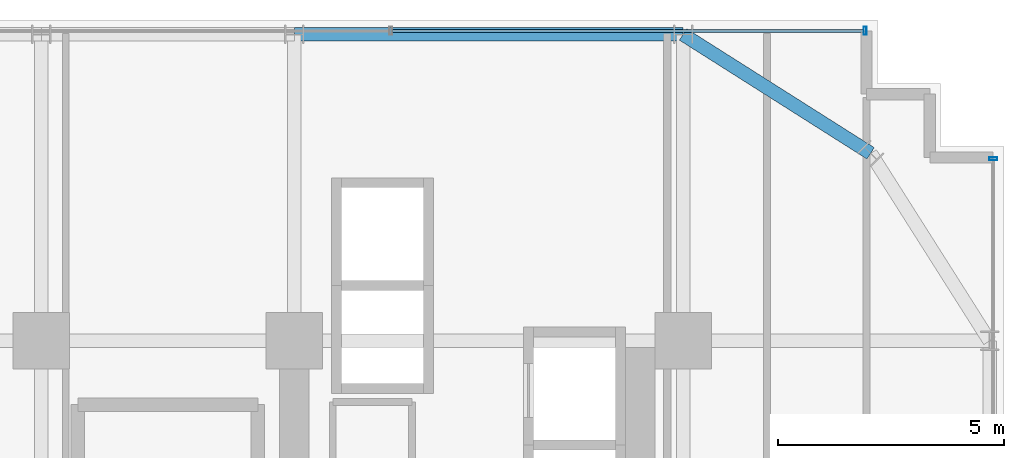
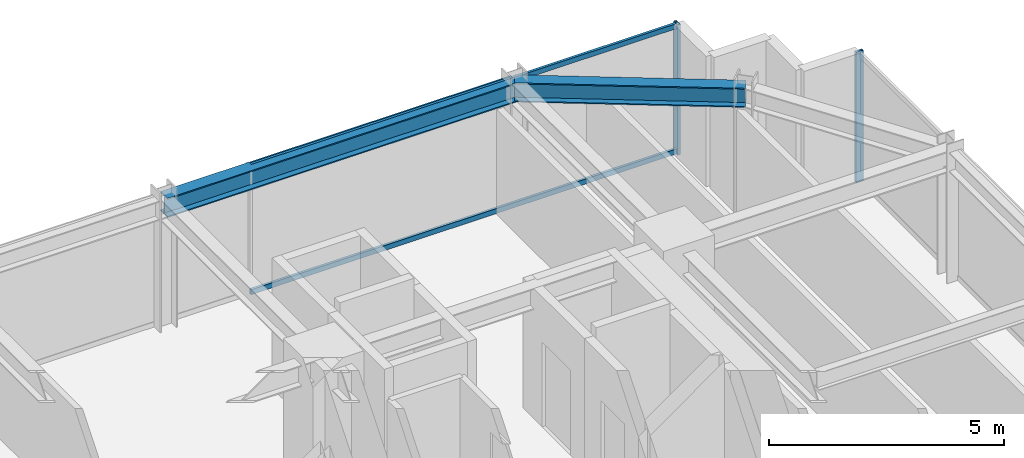
# One storey, part 24 of 32: 4 members, 2 beams, 2 elements without a shape of their own.
"""IFC4 building model written with IfcOpenShell, lengths in metres."""

from ifc_helpers import new_model, si_unit, direction, frame, origin, origin_2d, place, context, subcontext, project, spatial, hollow_rectangle, i_section, extrude, source, transform, mapped, material, material_profile, profile_set, type_object, element, aggregate, save


model = new_model("IFC4")

# Units and contexts
model_context = context("Model", 3, precision=1e-05, world=origin(), true_north=direction((0.0, 1.0)))
body_context = subcontext(model_context, "Body", "Model", "MODEL_VIEW")
ifc_project = project(units=[si_unit("LENGTHUNIT", "METRE"), si_unit("AREAUNIT", "SQUARE_METRE"), si_unit("VOLUMEUNIT", "CUBIC_METRE"), si_unit("PLANEANGLEUNIT", "RADIAN"), si_unit("MASSUNIT", "GRAM", prefix="KILO")], contexts=[model_context])

# Site, building, storey
site_placement = place(None, origin())
site = spatial("IfcSite", under=ifc_project, at=site_placement, CompositionType="ELEMENT")
building_placement = place(site_placement, origin())
building = spatial("IfcBuilding", under=site, at=building_placement, Name="Nahalor Promenade Grand Hotel", CompositionType="ELEMENT")
storey_placement = place(building_placement, frame((0.0, 0.0, 124.800048828125)))
storey = spatial("IfcBuildingStorey", under=building, at=storey_placement, Name="L31", CompositionType="ELEMENT", Elevation=124.800048828125)

# Beams
ifc_material_1 = material(Name="Steel S355JR", Category="steel")
ifc_material_profile_1 = material_profile(ifc_material_1, i_section(OverallWidth=0.3, OverallDepth=0.5, WebThickness=0.0145, FlangeThickness=0.028, at=origin_2d()), Name="HEB 500")
ifc_profile_set_1 = profile_set([ifc_material_profile_1], Name="Steel S355JR")
beam_type = type_object("IfcBeamType", Name="Beam-Spandrel-HEB500", PredefinedType="SPANDREL", material=ifc_profile_set_1)
shared_shape_1 = source(origin(), body_context, "Body", "SweptSolid", [
    extrude(i_section(OverallWidth=0.3, OverallDepth=0.5, WebThickness=0.0145, FlangeThickness=0.028, at=origin_2d()), origin(), (0.0, 0.0, 1.0), 8.60009765625),
])
beam_1_placement = place(storey_placement, frame((8.39990234375, 23.780029296875, 3.1298828125), z_axis=(1.0, 0.0, 0.0), x_axis=(0.0, 1.0, 0.0)))
element("IfcBeam", 1, at=beam_1_placement, inside=storey, type_object=beam_type, Name="BM-L31-SP-N-4", PredefinedType="SPANDREL", context=body_context, shape_type="MappedRepresentation", body=[
    mapped(shared_shape_1, transform((0.0, 0.0, 0.0), scale=1.0)),
])
shared_shape_2 = source(origin(), body_context, "Body", "SweptSolid", [
    extrude(i_section(OverallWidth=0.3, OverallDepth=0.5, WebThickness=0.0145, FlangeThickness=0.028, at=origin_2d()), origin(), (0.0, 0.0, 1.0), 4.9130859375),
])
beam_2_placement = place(storey_placement, frame((17.0, 23.780029296875, 3.1298828125), z_axis=(0.844648325505, -0.535321591403, 0.0), x_axis=(0.535321591403, 0.844648325505, 0.0)))
element("IfcBeam", 2, at=beam_2_placement, inside=storey, type_object=beam_type, Name="BM-L31-SPC-NE-1", PredefinedType="SPANDREL", context=body_context, shape_type="MappedRepresentation", body=[
    mapped(shared_shape_2, transform((0.0, 0.0, 0.0), scale=1.0)),
])

# Curtain wall, member
ifc_material_2 = material(Name="Anodised Bronze Aluminium EN AW-6063 T6", Category="aluminium")
curtain_wall_type = type_object("IfcCurtainWallType", Name="CW2 Typical Hotel Flush Bronze Unitised Curtain Wall", PredefinedType="USERDEFINED", material=ifc_material_2)
curtain_wall_1_placement = place(storey_placement, origin())
curtain_wall_1 = element("IfcCurtainWall", 3, at=curtain_wall_1_placement, inside=storey, type_object=curtain_wall_type, Name="L31 Curtain Wall CW-L31-N-1", ObjectType="UNITISED_CURTAIN_WALL", PredefinedType="USERDEFINED")
ifc_material_profile_2 = material_profile(ifc_material_2, hollow_rectangle(XDim=0.065, YDim=0.18, WallThickness=0.004, at=origin_2d()), Name="CWM 65x180x4")
ifc_profile_set_2 = profile_set([ifc_material_profile_2], Name="Anodised Bronze Aluminium EN AW-6063 T6")
member_type_1 = type_object("IfcMemberType", Name="CWM2 Typical Bronze Mullion 65x180", PredefinedType="MULLION", material=ifc_profile_set_2)
shared_shape_3 = source(origin(), body_context, "Body", "SweptSolid", [
    extrude(hollow_rectangle(XDim=0.065, YDim=0.18, WallThickness=0.004, at=origin_2d()), origin(), (0.0, 0.0, 1.0), 3.3798828125),
])
member_1_placement = place(storey_placement, frame((21.027587890625, 23.860107421875, 0.0), z_axis=(0.0, 0.0, 1.0), x_axis=(1.0, 0.0, 0.0)))
member_1 = element("IfcMember", 4, at=member_1_placement, type_object=member_type_1, Name="CW-L31-N-1 Mullion 4", PredefinedType="MULLION", context=body_context, shape_type="MappedRepresentation", body=[
    mapped(shared_shape_3, transform((0.0, 0.0, 0.0), scale=1.0)),
])

curtain_wall_2_placement = place(storey_placement, origin())
curtain_wall_2 = element("IfcCurtainWall", 5, at=curtain_wall_2_placement, inside=storey, type_object=curtain_wall_type, Name="L31 Curtain Wall CW-L31-E-1", ObjectType="UNITISED_CURTAIN_WALL", PredefinedType="USERDEFINED")
member_2_placement = place(storey_placement, frame((23.860107421875, 21.027587890625, 0.0), z_axis=(0.0, 0.0, 1.0), x_axis=(0.0, 1.0, 0.0)))
member_2 = element("IfcMember", 6, at=member_2_placement, type_object=member_type_1, Name="CW-L31-E-1 Mullion 4", PredefinedType="MULLION", context=body_context, shape_type="MappedRepresentation", body=[
    mapped(shared_shape_3, transform((0.0, 0.0, 0.0), scale=1.0)),
])
aggregate(curtain_wall_2, [member_2])

# Member
ifc_material_profile_3 = material_profile(ifc_material_2, hollow_rectangle(XDim=0.065, YDim=0.13, WallThickness=0.004, at=origin_2d()), Name="CWT 65x130x4")
ifc_profile_set_3 = profile_set([ifc_material_profile_3], Name="Anodised Bronze Aluminium EN AW-6063 T6")
member_type_2 = type_object("IfcMemberType", Name="CWT2 Typical Bronze Transom 65x130", PredefinedType="USERDEFINED", material=ifc_profile_set_3)
shared_shape_4 = source(origin(), body_context, "Body", "SweptSolid", [
    extrude(hollow_rectangle(XDim=0.065, YDim=0.13, WallThickness=0.004, at=origin_2d()), origin(), (0.0, 0.0, 1.0), 10.4326171875),
])
member_3_placement = place(storey_placement, frame((10.5625, 23.860107421875, 0.06494140625), z_axis=(1.0, 0.0, 0.0), x_axis=(0.0, 1.0, 0.0)))
member_3 = element("IfcMember", 7, at=member_3_placement, type_object=member_type_2, Name="CW-L31-N-1 Transom 3-0", ObjectType="TRANSOM", PredefinedType="USERDEFINED", context=body_context, shape_type="MappedRepresentation", body=[
    mapped(shared_shape_4, transform((0.0, 0.0, 0.0), scale=1.0)),
])

member_4_placement = place(storey_placement, frame((10.5625, 23.860107421875, 3.31494140625), z_axis=(1.0, 0.0, 0.0), x_axis=(0.0, 1.0, 0.0)))
member_4 = element("IfcMember", 8, at=member_4_placement, type_object=member_type_2, Name="CW-L31-N-1 Transom 3-1", ObjectType="TRANSOM", PredefinedType="USERDEFINED", context=body_context, shape_type="MappedRepresentation", body=[
    mapped(shared_shape_4, transform((0.0, 0.0, 0.0), scale=1.0)),
])

aggregate(curtain_wall_1, [member_1, member_3, member_4])

save(model, "model.ifc")
